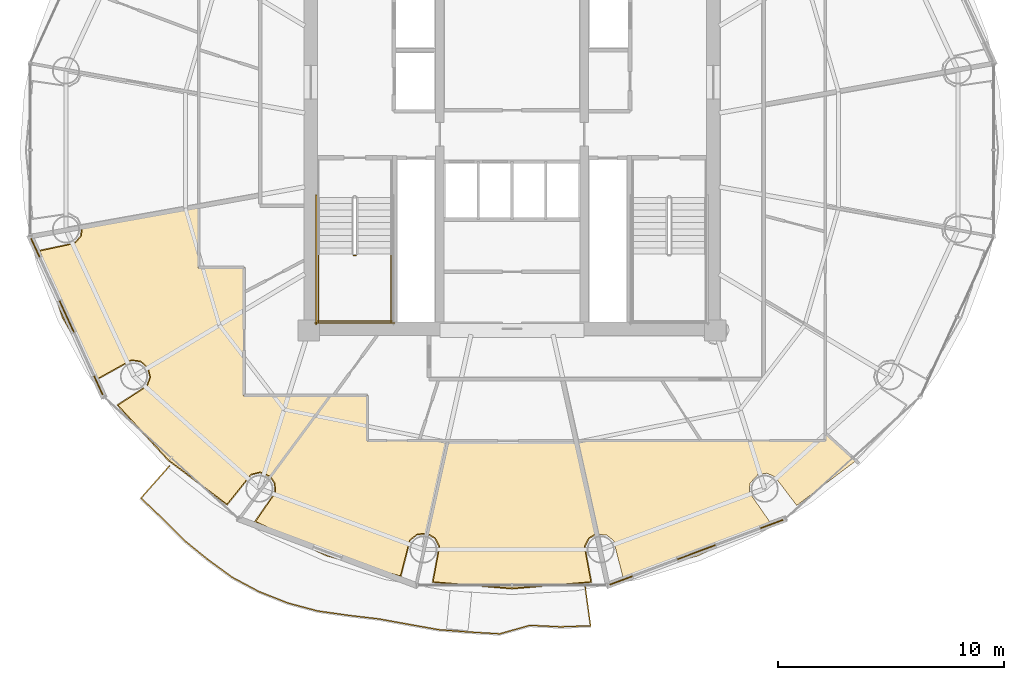
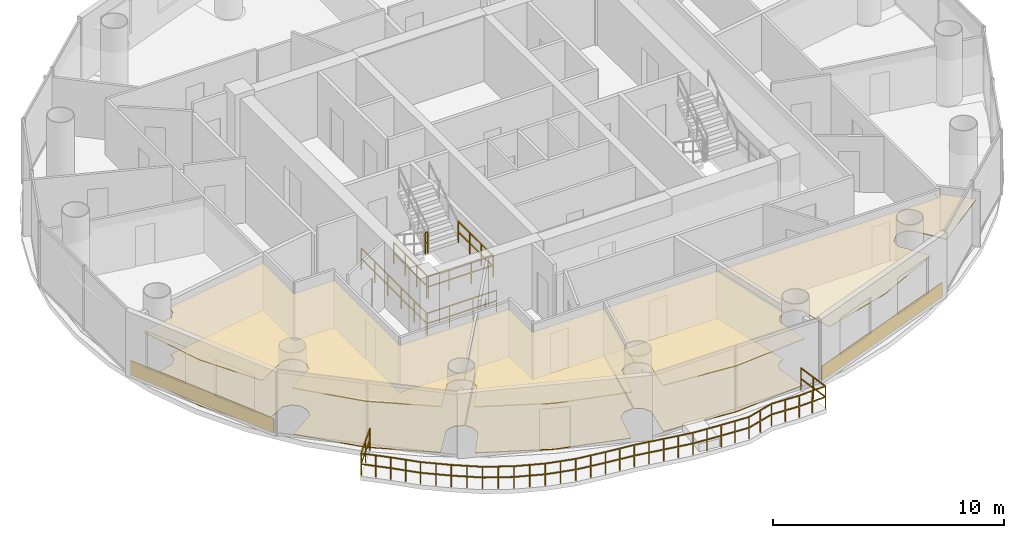
# One storey, part 24 of 27: 9 coverings, 7 railings.
"""IFC4 building model written with IfcOpenShell, lengths in metres."""

import ifcopenshell
import ifcopenshell.guid

model = None  # the IFC model being written
_history = None  # IfcOwnerHistory: only IFC2X3 demands one
_inside = {}  # id of a spatial element -> (the spatial element, [elements in it])
_under = {}  # id of a project, library or spatial element -> (it, [spatial elements below it])
_declared = {}  # id of a project -> (the project, [libraries it declares])
_typed = {}  # id of a type object -> (the type object, [elements of that type])
_made_of = {}  # id of a material, layer set ... -> (it, [elements and type objects made of it])


def new_model(schema):
    """Start an empty IFC model of exactly this schema.

    Asked for "IFC4X3", IfcOpenShell would pick the latest addendum, in which some entities
    have other attributes; the version numbers below select the first issue.
    IFC2X3 requires an IfcOwnerHistory on every rooted entity: one is made here for all.
    """
    global model, _history
    if schema == "IFC4X3":
        model = ifcopenshell.file(schema_version=(4, 3, 0, 0))
    else:
        model = ifcopenshell.file(schema=schema)
    _inside.clear()
    _under.clear()
    _declared.clear()
    _typed.clear()
    _made_of.clear()
    _history = None
    if model.schema == "IFC2X3":
        org = make("IfcOrganization", Name="unknown")
        user = make(
            "IfcPersonAndOrganization",
            ThePerson=make("IfcPerson", FamilyName="unknown"),
            TheOrganization=org,
        )
        app = make(
            "IfcApplication",
            ApplicationDeveloper=org,
            Version="unknown",
            ApplicationFullName="unknown",
            ApplicationIdentifier="unknown",
        )
        _history = make(
            "IfcOwnerHistory",
            OwningUser=user,
            OwningApplication=app,
            ChangeAction="ADDED",
            CreationDate=0,
        )
    return model


def make(cls, **values):
    """One entity of the class cls with the attributes given. An attribute that is None is left unset."""
    return model.create_entity(
        cls, **{name: value for name, value in values.items() if value is not None}
    )


def rooted(cls, **values):
    """An entity with a GlobalId (a new one), such as an element, a storey or a relation."""
    return make(cls, GlobalId=ifcopenshell.guid.new(), OwnerHistory=_history, **values)


def si_unit(unit_type, name, prefix=None):
    """IfcSIUnit, for example si_unit("LENGTHUNIT", "METRE", prefix="MILLI")."""
    return make("IfcSIUnit", UnitType=unit_type, Prefix=prefix, Name=name)


def assignment(units):
    """IfcUnitAssignment: the units of a project."""
    return None if units is None else make("IfcUnitAssignment", Units=units)


def point(xyz):
    """IfcCartesianPoint."""
    return None if xyz is None else make("IfcCartesianPoint", Coordinates=xyz)


def direction(xyz):
    """IfcDirection."""
    return None if xyz is None else make("IfcDirection", DirectionRatios=xyz)


def frame(location, z_axis=None, x_axis=None):
    """IfcAxis2Placement3D, a coordinate frame: its origin and axes. An axis left out is left unset."""
    return make(
        "IfcAxis2Placement3D",
        Location=point(location),
        Axis=direction(z_axis),
        RefDirection=direction(x_axis),
    )


def frame_2d(location, x_axis=None):
    """IfcAxis2Placement2D, a coordinate frame in the plane: its origin and x axis."""
    return make(
        "IfcAxis2Placement2D", Location=point(location), RefDirection=direction(x_axis)
    )


def origin():
    """The frame at (0, 0, 0) with its axes left unset."""
    return frame((0.0, 0.0, 0.0))


def origin_2d():
    """The frame at (0, 0) in the plane with its x axis left unset."""
    return frame_2d((0.0, 0.0))


def place(relative_to, where):
    """IfcLocalPlacement: puts the frame where relative to a parent placement (None: the world)."""
    return make(
        "IfcLocalPlacement", PlacementRelTo=relative_to, RelativePlacement=where
    )


def context(
    kind, dimensions, precision=None, world=None, true_north=None, identifier=None
):
    """IfcGeometricRepresentationContext, for example the 3D "Model" context."""
    return make(
        "IfcGeometricRepresentationContext",
        ContextIdentifier=identifier,
        ContextType=kind,
        CoordinateSpaceDimension=dimensions,
        Precision=precision,
        WorldCoordinateSystem=world,
        TrueNorth=true_north,
    )


def subcontext(parent, identifier, kind, view, scale=None):
    """IfcGeometricRepresentationSubContext, for example "Body" below "Model"."""
    return make(
        "IfcGeometricRepresentationSubContext",
        ContextIdentifier=identifier,
        ContextType=kind,
        ParentContext=parent,
        TargetScale=scale,
        TargetView=view,
    )


def project(units=None, contexts=None):
    """IfcProject with its units and contexts."""
    return rooted(
        "IfcProject",
        Name="project",
        RepresentationContexts=contexts,
        UnitsInContext=assignment(units),
    )


def spatial(cls, under=None, at=None, **own):
    """A site, building, storey or space (cls), placed at a placement, below another one or the project."""
    s = rooted(cls, ObjectPlacement=at, **own)
    if under is not None:
        _under.setdefault(under.id(), (under, []))[1].append(s)
    return s


def polyline(points):
    """IfcPolyline through the points."""
    return make("IfcPolyline", Points=[point(p) for p in points])


def profile(cls, at=None, kind="AREA", **sizes):
    """A parametric profile (cls). Its sizes go by their IFC names, for example OverallWidth=200.0."""
    return make(cls, ProfileType=kind, Position=at, **sizes)


def rectangle(**sizes):
    """IfcRectangleProfileDef."""
    return profile("IfcRectangleProfileDef", **sizes)


def outline(outer, holes=None, kind="AREA"):
    """IfcArbitraryClosedProfileDef: a profile drawn as a closed curve; with holes, ...WithVoids."""
    if holes is None:
        return make("IfcArbitraryClosedProfileDef", ProfileType=kind, OuterCurve=outer)
    return make(
        "IfcArbitraryProfileDefWithVoids",
        ProfileType=kind,
        OuterCurve=outer,
        InnerCurves=holes,
    )


def extrude(swept, where, along, depth):
    """IfcExtrudedAreaSolid: the profile swept, set in the frame where, extruded along a direction by depth."""
    return make(
        "IfcExtrudedAreaSolid",
        SweptArea=swept,
        Position=where,
        ExtrudedDirection=direction(along),
        Depth=depth,
    )


def shape(context_of_items, identifier, shape_type, items):
    """IfcShapeRepresentation: the items that make up one representation, for example the "Body"."""
    return make(
        "IfcShapeRepresentation",
        ContextOfItems=context_of_items,
        RepresentationIdentifier=identifier,
        RepresentationType=shape_type,
        Items=items,
    )


def source(mapping_origin, context_of_items, identifier, shape_type, items):
    """IfcRepresentationMap: a shape defined once, which mapped items show again and again."""
    return make(
        "IfcRepresentationMap",
        MappingOrigin=mapping_origin,
        MappedRepresentation=shape(context_of_items, identifier, shape_type, items),
    )


def transform(
    local_origin,
    x_axis=None,
    y_axis=None,
    z_axis=None,
    scale=None,
    scale2=None,
    scale3=None,
    uniform=True,
):
    """IfcCartesianTransformationOperator3D, or its non-uniform kind. x_axis, y_axis, z_axis: its Axis1, 2, 3."""
    if uniform:
        return make(
            "IfcCartesianTransformationOperator3D",
            Axis1=direction(x_axis),
            Axis2=direction(y_axis),
            LocalOrigin=point(local_origin),
            Scale=scale,
            Axis3=direction(z_axis),
        )
    return make(
        "IfcCartesianTransformationOperator3DnonUniform",
        Axis1=direction(x_axis),
        Axis2=direction(y_axis),
        LocalOrigin=point(local_origin),
        Scale=scale,
        Axis3=direction(z_axis),
        Scale2=scale2,
        Scale3=scale3,
    )


def mapped(mapping_source, mapping_target):
    """IfcMappedItem: shows the shape of a source again, moved by a transform."""
    return make(
        "IfcMappedItem", MappingSource=mapping_source, MappingTarget=mapping_target
    )


def material(Name=None, Category=None):
    """IfcMaterial."""
    return make("IfcMaterial", Name=Name, Category=Category)


def layer(
    of_material, thickness, ventilated=None, Name=None, Category=None, Priority=None
):
    """IfcMaterialLayer: one layer of a wall or slab, of a material (None: an air gap)."""
    return make(
        "IfcMaterialLayer",
        Material=of_material,
        LayerThickness=thickness,
        IsVentilated=ventilated,
        Name=Name,
        Category=Category,
        Priority=Priority,
    )


def layer_set(layers, Name=None):
    """IfcMaterialLayerSet."""
    return make("IfcMaterialLayerSet", MaterialLayers=layers, LayerSetName=Name)


def made_of(thing, what):
    """Note that an element or type object is made of a material, layer set ...; save() writes the relation."""
    if what is not None:
        _made_of.setdefault(what.id(), (what, []))[1].append(thing)
    return thing


def type_object(cls, material=None, **own):
    """A type object (cls), such as IfcWallType, which elements share."""
    return made_of(rooted(cls, **own), material)


def element(
    cls,
    number,
    at=None,
    inside=None,
    cuts=None,
    type_object=None,
    material=None,
    context=None,
    identifier="Body",
    shape_type=None,
    held_by="IfcProductDefinitionShape",
    body=None,
    shapes=None,
    **own,
):
    """One element of the class cls, such as IfcWall. Its Tag is "e" and its number.

    at: its placement. inside: the storey or other place that contains it. cuts: it is an
    opening in that element (IfcRelVoidsElement). A single representation is given by context,
    identifier, shape_type and body (its items); several are given by shapes. held_by: the class
    of the entity that holds the representations. save() writes the other relations.
    """
    e = rooted(cls, Tag="e%d" % number, ObjectPlacement=at, **own)
    if body is not None:
        shapes = [shape(context, identifier, shape_type, body)]
    if shapes is not None:
        e.Representation = make(held_by, Representations=shapes)
    if inside is not None:
        _inside.setdefault(inside.id(), (inside, []))[1].append(e)
    if cuts is not None:
        rooted(
            "IfcRelVoidsElement", RelatingBuildingElement=cuts, RelatedOpeningElement=e
        )
    if type_object is not None:
        _typed.setdefault(type_object.id(), (type_object, []))[1].append(e)
    return made_of(e, material)


def aggregate(whole, parts):
    """IfcRelAggregates: a whole, such as a stair, and the parts it consists of."""
    return rooted("IfcRelAggregates", RelatingObject=whole, RelatedObjects=parts)


def save(model, path):
    """Write the relations noted so far, then the file.

    IfcRelAggregates (storeys below a building ...), IfcRelContainedInSpatialStructure (elements
    in a storey), IfcRelDefinesByType, IfcRelAssociatesMaterial and IfcRelDeclares: one each for
    every whole, place, type object, material and project.
    """
    for whole, parts in _under.values():
        aggregate(whole, parts)
    for where, things in _inside.values():
        rooted(
            "IfcRelContainedInSpatialStructure",
            RelatedElements=things,
            RelatingStructure=where,
        )
    for kind, things in _typed.values():
        rooted("IfcRelDefinesByType", RelatedObjects=things, RelatingType=kind)
    for what, things in _made_of.values():
        rooted("IfcRelAssociatesMaterial", RelatedObjects=things, RelatingMaterial=what)
    for by, libraries in _declared.values():
        rooted("IfcRelDeclares", RelatingContext=by, RelatedDefinitions=libraries)
    model.write(path)


model = new_model("IFC4")

# Units and contexts
model_context = context("Model", 3, precision=1e-05, world=origin(), true_north=direction((-0.2419218956, 0.970295726276)))
body_context = subcontext(model_context, "Body", "Model", "MODEL_VIEW")
ifc_project = project(units=[si_unit("LENGTHUNIT", "METRE"), si_unit("AREAUNIT", "SQUARE_METRE"), si_unit("VOLUMEUNIT", "CUBIC_METRE"), si_unit("PLANEANGLEUNIT", "RADIAN"), si_unit("MASSUNIT", "GRAM", prefix="KILO")], contexts=[model_context])

# Site, building, storey
site_placement = place(None, origin())
site = spatial("IfcSite", under=ifc_project, at=site_placement, CompositionType="ELEMENT")
building_placement = place(site_placement, origin())
building = spatial("IfcBuilding", under=site, at=building_placement, Name="Cobrevalo Terracotta Tower", CompositionType="ELEMENT")
storey_placement = place(building_placement, frame((0.0, 0.0, 191.199951171875)))
storey = spatial("IfcBuildingStorey", under=building, at=storey_placement, Name="L50", CompositionType="ELEMENT", Elevation=191.199951171875)

# Railing
ifc_material_1 = material(Name="Laminated structural glass and stainless steel", Category="steel")
railing_type_1 = type_object("IfcRailingType", Name="Balcony lobe structural glass & terracotta-cap balustrade 1180 mm", PredefinedType="BALUSTRADE", material=ifc_material_1)
railing_1_placement = place(storey_placement, frame((22.81982421875, 12.797607421875, 0.0)))
element("IfcRailing", 1, at=railing_1_placement, inside=storey, type_object=railing_type_1, Name="L50 spiralling balcony lobe balustrade 2", PredefinedType="BALUSTRADE", context=body_context, shape_type="SweptSolid", body=[
    extrude(rectangle(XDim=0.048095703125, YDim=0.048095703125, at=origin_2d()), frame((0.0, 0.0, 1.15576171875), z_axis=(-0.663086681071, -0.748542619619, 0.0), x_axis=(0.748542619619, -0.663086681071, 0.0)), (0.0, 0.0, 1.0), 1.89990234375),
    extrude(rectangle(XDim=0.048095703125, YDim=0.048095703125, at=origin_2d()), frame((0.0, 0.0, 0.58984375), z_axis=(-0.663086681071, -0.748542619619, 0.0), x_axis=(0.748542619619, -0.663086681071, 0.0)), (0.0, 0.0, 1.0), 1.89990234375),
    extrude(rectangle(XDim=0.048095703125, YDim=0.048095703125, at=origin_2d()), frame((-1.259765625, -1.422119140625, 1.15576171875), z_axis=(0.725036451142, -0.688710493978, 0.0), x_axis=(0.688710493978, 0.725036451142, 0.0)), (0.0, 0.0, 1.0), 1.3173828125),
    extrude(rectangle(XDim=0.048095703125, YDim=0.048095703125, at=origin_2d()), frame((-1.259765625, -1.422119140625, 0.58984375), z_axis=(0.725036451142, -0.688710493978, 0.0), x_axis=(0.688710493978, 0.725036451142, 0.0)), (0.0, 0.0, 1.0), 1.3173828125),
    extrude(rectangle(XDim=0.048095703125, YDim=0.048095703125, at=origin_2d()), frame((-0.3046875, -2.329345703125, 1.15576171875), z_axis=(0.704268683659, -0.709933532957, 0.0), x_axis=(0.709933532957, 0.704268683659, 0.0)), (0.0, 0.0, 1.0), 1.3359375),
    extrude(rectangle(XDim=0.048095703125, YDim=0.048095703125, at=origin_2d()), frame((-0.3046875, -2.329345703125, 0.58984375), z_axis=(0.704268683659, -0.709933532957, 0.0), x_axis=(0.709933532957, 0.704268683659, 0.0)), (0.0, 0.0, 1.0), 1.3359375),
    extrude(rectangle(XDim=0.048095703125, YDim=0.048095703125, at=origin_2d()), frame((0.63623046875, -3.27783203125, 1.15576171875), z_axis=(0.775792773105, -0.630987775792, 0.0), x_axis=(0.630987775792, 0.775792773105, 0.0)), (0.0, 0.0, 1.0), 1.348876953125),
    extrude(rectangle(XDim=0.048095703125, YDim=0.048095703125, at=origin_2d()), frame((0.63623046875, -3.27783203125, 0.58984375), z_axis=(0.775792773105, -0.630987775792, 0.0), x_axis=(0.630987775792, 0.775792773105, 0.0)), (0.0, 0.0, 1.0), 1.348876953125),
    extrude(rectangle(XDim=0.048095703125, YDim=0.048095703125, at=origin_2d()), frame((1.6826171875, -4.12890625, 1.15576171875), z_axis=(0.807654467014, -0.58965605391, 0.0), x_axis=(0.58965605391, 0.807654467014, 0.0)), (0.0, 0.0, 1.0), 1.3583984375),
    extrude(rectangle(XDim=0.048095703125, YDim=0.048095703125, at=origin_2d()), frame((1.6826171875, -4.12890625, 0.58984375), z_axis=(0.807654467014, -0.58965605391, 0.0), x_axis=(0.58965605391, 0.807654467014, 0.0)), (0.0, 0.0, 1.0), 1.3583984375),
    extrude(rectangle(XDim=0.048095703125, YDim=0.048095703125, at=origin_2d()), frame((2.77978515625, -4.929931640625, 1.15576171875), z_axis=(0.8819355255, -0.471370055118, 0.0), x_axis=(0.471370055118, 0.8819355255, 0.0)), (0.0, 0.0, 1.0), 1.361083984375),
    extrude(rectangle(XDim=0.048095703125, YDim=0.048095703125, at=origin_2d()), frame((2.77978515625, -4.929931640625, 0.58984375), z_axis=(0.8819355255, -0.471370055118, 0.0), x_axis=(0.471370055118, 0.8819355255, 0.0)), (0.0, 0.0, 1.0), 1.361083984375),
    extrude(rectangle(XDim=0.048095703125, YDim=0.048095703125, at=origin_2d()), frame((3.980224609375, -5.571533203125, 1.15576171875), z_axis=(0.930373326628, -0.366613520071, 0.0), x_axis=(0.366613520071, 0.930373326628, 0.0)), (0.0, 0.0, 1.0), 1.3671875),
    extrude(rectangle(XDim=0.048095703125, YDim=0.048095703125, at=origin_2d()), frame((3.980224609375, -5.571533203125, 0.58984375), z_axis=(0.930373326628, -0.366613520071, 0.0), x_axis=(0.366613520071, 0.930373326628, 0.0)), (0.0, 0.0, 1.0), 1.3671875),
    extrude(rectangle(XDim=0.048095703125, YDim=0.048095703125, at=origin_2d()), frame((5.252197265625, -6.07275390625, 1.15576171875), z_axis=(0.966202361333, -0.257784788059, 0.0), x_axis=(0.257784788059, 0.966202361333, 0.0)), (0.0, 0.0, 1.0), 1.368408203125),
    extrude(rectangle(XDim=0.048095703125, YDim=0.048095703125, at=origin_2d()), frame((5.252197265625, -6.07275390625, 0.58984375), z_axis=(0.966202361333, -0.257784788059, 0.0), x_axis=(0.257784788059, 0.966202361333, 0.0)), (0.0, 0.0, 1.0), 1.368408203125),
    extrude(rectangle(XDim=0.048095703125, YDim=0.048095703125, at=origin_2d()), frame((6.574462890625, -6.425537109375, 1.15576171875), z_axis=(0.990044872641, -0.14075208758, 0.0), x_axis=(0.14075208758, 0.990044872641, 0.0)), (0.0, 0.0, 1.0), 1.37890625),
    extrude(rectangle(XDim=0.048095703125, YDim=0.048095703125, at=origin_2d()), frame((6.574462890625, -6.425537109375, 0.58984375), z_axis=(0.990044872641, -0.14075208758, 0.0), x_axis=(0.14075208758, 0.990044872641, 0.0)), (0.0, 0.0, 1.0), 1.37890625),
    extrude(rectangle(XDim=0.048095703125, YDim=0.048095703125, at=origin_2d()), frame((7.939697265625, -6.61962890625, 1.15576171875), z_axis=(0.993190979013, -0.116497550222, 0.0), x_axis=(0.116497550222, 0.993190979013, 0.0)), (0.0, 0.0, 1.0), 1.360107421875),
    extrude(rectangle(XDim=0.048095703125, YDim=0.048095703125, at=origin_2d()), frame((7.939697265625, -6.61962890625, 0.58984375), z_axis=(0.993190979013, -0.116497550222, 0.0), x_axis=(0.116497550222, 0.993190979013, 0.0)), (0.0, 0.0, 1.0), 1.360107421875),
    extrude(rectangle(XDim=0.048095703125, YDim=0.048095703125, at=origin_2d()), frame((9.29052734375, -6.778076171875, 1.15576171875), z_axis=(0.98392203497, -0.178598513711, 0.0), x_axis=(0.178598513711, 0.98392203497, 0.0)), (0.0, 0.0, 1.0), 1.347900390625),
    extrude(rectangle(XDim=0.048095703125, YDim=0.048095703125, at=origin_2d()), frame((9.29052734375, -6.778076171875, 0.58984375), z_axis=(0.98392203497, -0.178598513711, 0.0), x_axis=(0.178598513711, 0.98392203497, 0.0)), (0.0, 0.0, 1.0), 1.347900390625),
    extrude(rectangle(XDim=0.048095703125, YDim=0.048095703125, at=origin_2d()), frame((10.61669921875, -7.018798828125, 1.15576171875), z_axis=(0.984563895488, -0.175025528716, 0.0), x_axis=(0.175025528716, 0.984563895488, 0.0)), (0.0, 0.0, 1.0), 1.347412109375),
    extrude(rectangle(XDim=0.048095703125, YDim=0.048095703125, at=origin_2d()), frame((10.61669921875, -7.018798828125, 0.58984375), z_axis=(0.984563895488, -0.175025528716, 0.0), x_axis=(0.175025528716, 0.984563895488, 0.0)), (0.0, 0.0, 1.0), 1.347412109375),
    extrude(rectangle(XDim=0.048095703125, YDim=0.048095703125, at=origin_2d()), frame((11.943359375, -7.254638671875, 1.15576171875), z_axis=(0.997026756191, -0.077056131738, 0.0), x_axis=(0.077056131738, 0.997026756191, 0.0)), (0.0, 0.0, 1.0), 1.349609375),
    extrude(rectangle(XDim=0.048095703125, YDim=0.048095703125, at=origin_2d()), frame((11.943359375, -7.254638671875, 0.58984375), z_axis=(0.997026756191, -0.077056131738, 0.0), x_axis=(0.077056131738, 0.997026756191, 0.0)), (0.0, 0.0, 1.0), 1.349609375),
    extrude(rectangle(XDim=0.048095703125, YDim=0.048095703125, at=origin_2d()), frame((13.2890625, -7.358642578125, 1.15576171875), z_axis=(0.998305391515, -0.058192312829, 0.0), x_axis=(0.058192312829, 0.998305391515, 0.0)), (0.0, 0.0, 1.0), 1.350830078125),
    extrude(rectangle(XDim=0.048095703125, YDim=0.048095703125, at=origin_2d()), frame((13.2890625, -7.358642578125, 0.58984375), z_axis=(0.998305391515, -0.058192312829, 0.0), x_axis=(0.058192312829, 0.998305391515, 0.0)), (0.0, 0.0, 1.0), 1.350830078125),
    extrude(rectangle(XDim=0.048095703125, YDim=0.048095703125, at=origin_2d()), frame((14.6376953125, -7.437255859375, 1.15576171875), z_axis=(0.96245320691, 0.27144764598, 0.0), x_axis=(-0.27144764598, 0.96245320691, 0.0)), (0.0, 0.0, 1.0), 1.3896484375),
    extrude(rectangle(XDim=0.048095703125, YDim=0.048095703125, at=origin_2d()), frame((14.6376953125, -7.437255859375, 0.58984375), z_axis=(0.96245320691, 0.27144764598, 0.0), x_axis=(-0.27144764598, 0.96245320691, 0.0)), (0.0, 0.0, 1.0), 1.3896484375),
    extrude(rectangle(XDim=0.048095703125, YDim=0.048095703125, at=origin_2d()), frame((15.97509765625, -7.06005859375, 1.15576171875), z_axis=(0.998769047331, -0.049602319433, 0.0), x_axis=(0.049602319433, 0.998769047331, 0.0)), (0.0, 0.0, 1.0), 1.34375),
    extrude(rectangle(XDim=0.048095703125, YDim=0.048095703125, at=origin_2d()), frame((15.97509765625, -7.06005859375, 0.58984375), z_axis=(0.998769047331, -0.049602319433, 0.0), x_axis=(0.049602319433, 0.998769047331, 0.0)), (0.0, 0.0, 1.0), 1.34375),
    extrude(rectangle(XDim=0.048095703125, YDim=0.048095703125, at=origin_2d()), frame((17.317138671875, -7.126708984375, 1.15576171875), z_axis=(0.999434160509, 0.033635677587, 0.0), x_axis=(-0.033635677587, 0.999434160509, 0.0)), (0.0, 0.0, 1.0), 1.3427734375),
    extrude(rectangle(XDim=0.048095703125, YDim=0.048095703125, at=origin_2d()), frame((17.317138671875, -7.126708984375, 0.58984375), z_axis=(0.999434160509, 0.033635677587, 0.0), x_axis=(-0.033635677587, 0.999434160509, 0.0)), (0.0, 0.0, 1.0), 1.3427734375),
    extrude(rectangle(XDim=0.048095703125, YDim=0.048095703125, at=origin_2d()), frame((18.6591796875, -7.08154296875, 1.15576171875), z_axis=(-0.135635403979, 0.990758818879, 0.0), x_axis=(-0.990758818879, -0.135635403979, 0.0)), (0.0, 0.0, 1.0), 1.731689453125),
    extrude(rectangle(XDim=0.048095703125, YDim=0.048095703125, at=origin_2d()), frame((18.6591796875, -7.08154296875, 0.58984375), z_axis=(-0.135635403979, 0.990758818879, 0.0), x_axis=(-0.990758818879, -0.135635403979, 0.0)), (0.0, 0.0, 1.0), 1.731689453125),
    extrude(rectangle(XDim=0.0419921875, YDim=0.0419921875, at=origin_2d()), origin(), (0.0, 0.0, 1.0), 1.1318359375),
    extrude(rectangle(XDim=0.0419921875, YDim=0.0419921875, at=origin_2d()), frame((-0.6298828125, -0.7109375, 0.0)), (0.0, 0.0, 1.0), 1.1318359375),
    extrude(rectangle(XDim=0.0419921875, YDim=0.0419921875, at=origin_2d()), frame((-1.259765625, -1.422119140625, 0.0)), (0.0, 0.0, 1.0), 1.1318359375),
    extrude(rectangle(XDim=0.0419921875, YDim=0.0419921875, at=origin_2d()), frame((-0.7822265625, -1.875732421875, 0.0)), (0.0, 0.0, 1.0), 1.1318359375),
    extrude(rectangle(XDim=0.0419921875, YDim=0.0419921875, at=origin_2d()), frame((-0.3046875, -2.329345703125, 0.0)), (0.0, 0.0, 1.0), 1.1318359375),
    extrude(rectangle(XDim=0.0419921875, YDim=0.0419921875, at=origin_2d()), frame((0.165771484375, -2.8037109375, 0.0)), (0.0, 0.0, 1.0), 1.1318359375),
    extrude(rectangle(XDim=0.0419921875, YDim=0.0419921875, at=origin_2d()), frame((0.63623046875, -3.27783203125, 0.0)), (0.0, 0.0, 1.0), 1.1318359375),
    extrude(rectangle(XDim=0.0419921875, YDim=0.0419921875, at=origin_2d()), frame((1.159423828125, -3.703369140625, 0.0)), (0.0, 0.0, 1.0), 1.1318359375),
    extrude(rectangle(XDim=0.0419921875, YDim=0.0419921875, at=origin_2d()), frame((1.6826171875, -4.12890625, 0.0)), (0.0, 0.0, 1.0), 1.1318359375),
    extrude(rectangle(XDim=0.0419921875, YDim=0.0419921875, at=origin_2d()), frame((2.231201171875, -4.529296875, 0.0)), (0.0, 0.0, 1.0), 1.1318359375),
    extrude(rectangle(XDim=0.0419921875, YDim=0.0419921875, at=origin_2d()), frame((2.77978515625, -4.929931640625, 0.0)), (0.0, 0.0, 1.0), 1.1318359375),
    extrude(rectangle(XDim=0.0419921875, YDim=0.0419921875, at=origin_2d()), frame((3.3798828125, -5.250732421875, 0.0)), (0.0, 0.0, 1.0), 1.1318359375),
    extrude(rectangle(XDim=0.0419921875, YDim=0.0419921875, at=origin_2d()), frame((3.980224609375, -5.571533203125, 0.0)), (0.0, 0.0, 1.0), 1.1318359375),
    extrude(rectangle(XDim=0.0419921875, YDim=0.0419921875, at=origin_2d()), frame((4.6162109375, -5.822265625, 0.0)), (0.0, 0.0, 1.0), 1.1318359375),
    extrude(rectangle(XDim=0.0419921875, YDim=0.0419921875, at=origin_2d()), frame((5.252197265625, -6.07275390625, 0.0)), (0.0, 0.0, 1.0), 1.1318359375),
    extrude(rectangle(XDim=0.0419921875, YDim=0.0419921875, at=origin_2d()), frame((5.913330078125, -6.2490234375, 0.0)), (0.0, 0.0, 1.0), 1.1318359375),
    extrude(rectangle(XDim=0.0419921875, YDim=0.0419921875, at=origin_2d()), frame((6.574462890625, -6.425537109375, 0.0)), (0.0, 0.0, 1.0), 1.1318359375),
    extrude(rectangle(XDim=0.0419921875, YDim=0.0419921875, at=origin_2d()), frame((7.257080078125, -6.5224609375, 0.0)), (0.0, 0.0, 1.0), 1.1318359375),
    extrude(rectangle(XDim=0.0419921875, YDim=0.0419921875, at=origin_2d()), frame((7.939697265625, -6.61962890625, 0.0)), (0.0, 0.0, 1.0), 1.1318359375),
    extrude(rectangle(XDim=0.0419921875, YDim=0.0419921875, at=origin_2d()), frame((8.615234375, -6.69873046875, 0.0)), (0.0, 0.0, 1.0), 1.1318359375),
    extrude(rectangle(XDim=0.0419921875, YDim=0.0419921875, at=origin_2d()), frame((9.29052734375, -6.778076171875, 0.0)), (0.0, 0.0, 1.0), 1.1318359375),
    extrude(rectangle(XDim=0.0419921875, YDim=0.0419921875, at=origin_2d()), frame((9.95361328125, -6.8984375, 0.0)), (0.0, 0.0, 1.0), 1.1318359375),
    extrude(rectangle(XDim=0.0419921875, YDim=0.0419921875, at=origin_2d()), frame((10.61669921875, -7.018798828125, 0.0)), (0.0, 0.0, 1.0), 1.1318359375),
    extrude(rectangle(XDim=0.0419921875, YDim=0.0419921875, at=origin_2d()), frame((11.280029296875, -7.13671875, 0.0)), (0.0, 0.0, 1.0), 1.1318359375),
    extrude(rectangle(XDim=0.0419921875, YDim=0.0419921875, at=origin_2d()), frame((11.943359375, -7.254638671875, 0.0)), (0.0, 0.0, 1.0), 1.1318359375),
    extrude(rectangle(XDim=0.0419921875, YDim=0.0419921875, at=origin_2d()), frame((12.6162109375, -7.306640625, 0.0)), (0.0, 0.0, 1.0), 1.1318359375),
    extrude(rectangle(XDim=0.0419921875, YDim=0.0419921875, at=origin_2d()), frame((13.2890625, -7.358642578125, 0.0)), (0.0, 0.0, 1.0), 1.1318359375),
    extrude(rectangle(XDim=0.0419921875, YDim=0.0419921875, at=origin_2d()), frame((13.96337890625, -7.39794921875, 0.0)), (0.0, 0.0, 1.0), 1.1318359375),
    extrude(rectangle(XDim=0.0419921875, YDim=0.0419921875, at=origin_2d()), frame((14.6376953125, -7.437255859375, 0.0)), (0.0, 0.0, 1.0), 1.1318359375),
    extrude(rectangle(XDim=0.0419921875, YDim=0.0419921875, at=origin_2d()), frame((15.306396484375, -7.24853515625, 0.0)), (0.0, 0.0, 1.0), 1.1318359375),
    extrude(rectangle(XDim=0.0419921875, YDim=0.0419921875, at=origin_2d()), frame((15.97509765625, -7.06005859375, 0.0)), (0.0, 0.0, 1.0), 1.1318359375),
    extrude(rectangle(XDim=0.0419921875, YDim=0.0419921875, at=origin_2d()), frame((16.64599609375, -7.09326171875, 0.0)), (0.0, 0.0, 1.0), 1.1318359375),
    extrude(rectangle(XDim=0.0419921875, YDim=0.0419921875, at=origin_2d()), frame((17.317138671875, -7.126708984375, 0.0)), (0.0, 0.0, 1.0), 1.1318359375),
    extrude(rectangle(XDim=0.0419921875, YDim=0.0419921875, at=origin_2d()), frame((17.98828125, -7.10400390625, 0.0)), (0.0, 0.0, 1.0), 1.1318359375),
    extrude(rectangle(XDim=0.0419921875, YDim=0.0419921875, at=origin_2d()), frame((18.6591796875, -7.08154296875, 0.0)), (0.0, 0.0, 1.0), 1.1318359375),
    extrude(rectangle(XDim=0.0419921875, YDim=0.0419921875, at=origin_2d()), frame((18.541748046875, -6.2236328125, 0.0)), (0.0, 0.0, 1.0), 1.1318359375),
    extrude(rectangle(XDim=0.0419921875, YDim=0.0419921875, at=origin_2d()), frame((18.42431640625, -5.365966796875, 0.0)), (0.0, 0.0, 1.0), 1.1318359375),
])

# Coverings
ifc_material_2 = material(Name="Engineered Brazilian hardwood flooring", Category="wood")
ifc_layer_1 = layer(ifc_material_2, 0.028076171875)
ifc_layer_set_1 = layer_set([ifc_layer_1], Name="Engineered Brazilian hardwood flooring")
covering_type_1 = type_object("IfcCoveringType", Name="Engineered Hardwood Suite Flooring 28", PredefinedType="FLOORING", material=ifc_layer_set_1)
covering_1_placement = place(storey_placement, origin())
element("IfcCovering", 2, at=covering_1_placement, inside=storey, type_object=covering_type_1, Name="Flat L50C Living and Dining Room floor finish", PredefinedType="FLOORING", context=body_context, shape_type="SweptSolid", body=[
    extrude(outline(polyline([(22.782470703125, 13.068603515625), (20.546875, 15.4912109375), (21.840087890625, 16.330810546875), (21.985107421875, 16.735107421875), (21.880859375, 17.152099609375), (21.562744140625, 17.44091796875), (21.1376953125, 17.504150390625), (19.662109375, 16.6865234375), (18.117919921875, 19.368896484375), (17.09228515625, 22.322998046875), (18.635986328125, 22.655029296875), (18.9150390625, 22.981689453125), (18.9697265625, 23.35888671875), (24.094970703125, 24.2802734375), (24.094970703125, 21.570068359375), (26.10498046875, 21.570068359375), (26.10498046875, 15.905029296875), (29.919189453125, 15.905029296875), (27.2890625, 12.34765625), (26.843505859375, 12.531005859375), (26.426513671875, 12.427734375), (25.3720703125, 11.108154296875), (22.782470703125, 13.068603515625)])), origin(), (0.0, 0.0, 1.0), 0.030029296875),
])
covering_2_placement = place(storey_placement, origin())
element("IfcCovering", 3, at=covering_2_placement, inside=storey, type_object=covering_type_1, Name="Flat L50C Master Bedroom floor finish", PredefinedType="FLOORING", context=body_context, shape_type="SweptSolid", body=[
    extrude(outline(polyline([(29.763916015625, 8.858642578125), (26.6455078125, 10.34033203125), (27.522705078125, 11.610107421875), (27.502685546875, 12.039306640625), (27.318603515625, 12.320556640625), (29.968994140625, 15.905029296875), (31.570068359375, 15.905029296875), (31.570068359375, 13.89501953125), (35.138916015625, 13.89501953125), (34.240234375, 9.812255859375), (33.801025390625, 9.78662109375), (33.462890625, 9.521484375), (33.0517578125, 7.93017578125), (29.763916015625, 8.858642578125)])), origin(), (0.0, 0.0, 1.0), 0.030029296875),
])
covering_3_placement = place(storey_placement, origin())
element("IfcCovering", 4, at=covering_3_placement, inside=storey, type_object=covering_type_1, Name="Flat L50C Penthouse Family Lounge floor finish", PredefinedType="FLOORING", context=body_context, shape_type="SweptSolid", body=[
    extrude(outline(polyline([(34.509765625, 7.66845703125), (34.7978515625, 9.22509765625), (34.603759765625, 9.6083984375), (34.279052734375, 9.802978515625), (35.179931640625, 13.89501953125), (40.820068359375, 13.89501953125), (41.720947265625, 9.802978515625), (41.396240234375, 9.6083984375), (41.2021484375, 9.22509765625), (41.490234375, 7.66845703125), (38.0, 7.380126953125), (34.509765625, 7.66845703125)])), origin(), (0.0, 0.0, 1.0), 0.030029296875),
])
ifc_material_3 = material(Name="Acoustic perforated gypsum ceiling", Category="gypsum")
ifc_layer_2 = layer(ifc_material_3, 0.050048828125)
ifc_layer_set_2 = layer_set([ifc_layer_2], Name="Acoustic perforated gypsum ceiling")
covering_type_2 = type_object("IfcCoveringType", Name="Perforated Acoustic Gypsum Ceiling 50", PredefinedType="CEILING", material=ifc_layer_set_2)
covering_4_placement = place(storey_placement, frame((0.0, 0.0, 2.445068359375)))
element("IfcCovering", 5, at=covering_4_placement, inside=storey, type_object=covering_type_2, Name="Flat L50C Living and Dining Room acoustic ceiling", PredefinedType="CEILING", context=body_context, shape_type="SweptSolid", body=[
    extrude(outline(polyline([(22.752197265625, 13.03515625), (20.481201171875, 15.50439453125), (21.8037109375, 16.357666015625), (21.93994140625, 16.737548828125), (21.842041015625, 17.12890625), (21.54345703125, 17.39990234375), (21.144287109375, 17.45947265625), (19.650146484375, 16.626953125), (18.076904296875, 19.35009765625), (17.038330078125, 22.359130859375), (18.611572265625, 22.693359375), (18.873779296875, 23.0), (18.921630859375, 23.39599609375), (24.139892578125, 24.333984375), (24.139892578125, 21.614990234375), (26.14990234375, 21.614990234375), (26.14990234375, 15.949951171875), (30.008544921875, 15.949951171875), (27.29541015625, 12.28076171875), (26.84130859375, 12.48583984375), (26.44970703125, 12.388916015625), (25.3837890625, 11.048583984375), (22.752197265625, 13.03515625)])), origin(), (0.0, 0.0, 1.0), 0.050048828125),
])
covering_5_placement = place(storey_placement, frame((0.0, 0.0, 2.445068359375)))
element("IfcCovering", 6, at=covering_5_placement, inside=storey, type_object=covering_type_2, Name="Flat L50C Master Bedroom acoustic ceiling", PredefinedType="CEILING", context=body_context, shape_type="SweptSolid", body=[
    extrude(outline(polyline([(29.748291015625, 8.81640625), (26.579833984375, 10.327392578125), (27.478759765625, 11.621337890625), (27.460205078125, 12.024169921875), (27.25830078125, 12.314697265625), (29.9462890625, 15.949951171875), (31.614990234375, 15.949951171875), (31.614990234375, 13.93994140625), (35.19482421875, 13.93994140625), (34.275146484375, 9.76123046875), (33.8173828125, 9.74462890625), (33.499755859375, 9.49560546875), (33.08642578125, 7.878173828125), (29.748291015625, 8.81640625)])), origin(), (0.0, 0.0, 1.0), 0.050048828125),
])
covering_6_placement = place(storey_placement, frame((0.0, 0.0, 2.445068359375)))
element("IfcCovering", 7, at=covering_6_placement, inside=storey, type_object=covering_type_2, Name="Flat L50C Penthouse Family Lounge acoustic ceiling", PredefinedType="CEILING", context=body_context, shape_type="SweptSolid", body=[
    extrude(outline(polyline([(34.455810546875, 7.632568359375), (34.753173828125, 9.21728515625), (34.571044921875, 9.5771484375), (34.2265625, 9.77294921875), (35.143798828125, 13.93994140625), (40.856201171875, 13.93994140625), (41.7734375, 9.77294921875), (41.428955078125, 9.5771484375), (41.246826171875, 9.21728515625), (41.544189453125, 7.632568359375), (38.0, 7.3349609375), (34.455810546875, 7.632568359375)])), origin(), (0.0, 0.0, 1.0), 0.050048828125),
])
covering_7_placement = place(storey_placement, frame((0.0, 0.0, 2.445068359375)))
element("IfcCovering", 8, at=covering_7_placement, inside=storey, type_object=covering_type_2, Name="Flat L50D Living and Dining Room acoustic ceiling", PredefinedType="CEILING", context=body_context, shape_type="SweptSolid", body=[
    extrude(outline(polyline([(50.6162109375, 11.048583984375), (49.659912109375, 12.30810546875), (49.294921875, 12.4794921875), (48.89599609375, 12.41943359375), (48.539794921875, 12.024169921875), (48.521240234375, 11.621337890625), (49.420166015625, 10.327392578125), (46.251708984375, 8.81640625), (42.91357421875, 7.878173828125), (42.500244140625, 9.49560546875), (42.1826171875, 9.74462890625), (41.724853515625, 9.76123046875), (40.80517578125, 13.93994140625), (51.860107421875, 13.93994140625), (51.860107421875, 14.308837890625), (53.25927734375, 13.044189453125), (50.6162109375, 11.048583984375)])), origin(), (0.0, 0.0, 1.0), 0.050048828125),
])

# Railings
ifc_material_4 = material(Name="Painted galvanized steel", Category="steel")
railing_type_2 = type_object("IfcRailingType", Name="Stair Well Guard Balustrade 1150", PredefinedType="GUARDRAIL", material=ifc_material_4)
railing_2_placement = place(storey_placement, frame((30.97509765625, 22.1298828125, 1.85009765625)))
element("IfcRailing", 9, at=railing_2_placement, inside=storey, type_object=railing_type_2, Name="L50 ST-1 stair guard 2", PredefinedType="GUARDRAIL", context=body_context, shape_type="SweptSolid", body=[
    extrude(rectangle(XDim=0.048095703125, YDim=0.048095703125, at=origin_2d()), frame((0.0, 0.0, 1.1259765625), z_axis=(1.0, 0.0, 0.0), x_axis=(0.0, 1.0, 0.0)), (0.0, 0.0, 1.0), 0.119873046875),
    extrude(rectangle(XDim=0.048095703125, YDim=0.048095703125, at=origin_2d()), frame((0.0, 0.0, 0.574951171875), z_axis=(1.0, 0.0, 0.0), x_axis=(0.0, 1.0, 0.0)), (0.0, 0.0, 1.0), 0.119873046875),
    extrude(rectangle(XDim=0.0419921875, YDim=0.0419921875, at=origin_2d()), origin(), (0.0, 0.0, 1.0), 1.101806640625),
    extrude(rectangle(XDim=0.0419921875, YDim=0.0419921875, at=origin_2d()), frame((0.119873046875, 0.0, 0.0)), (0.0, 0.0, 1.0), 1.101806640625),
])
for number, where, name in (
    (10, (29.425048828125, 22.179931640625, 1.85009765625), "L50 ST-1 stair guard 3"),
    (11, (32.64501953125, 22.179931640625, 1.85009765625), "L50 ST-1 stair guard 4"),
):
    element("IfcRailing", number, at=place(storey_placement, frame(where)), inside=storey, type_object=railing_type_2, Name=name, PredefinedType="GUARDRAIL", context=body_context, shape_type="SweptSolid", body=[
        extrude(rectangle(XDim=0.048095703125, YDim=0.048095703125, at=origin_2d()), frame((0.0, 0.0, 1.1259765625), z_axis=(0.0, -1.0, 0.0), x_axis=(1.0, 0.0, 0.0)), (0.0, 0.0, 1.0), 3.0048828125),
        extrude(rectangle(XDim=0.048095703125, YDim=0.048095703125, at=origin_2d()), frame((0.0, 0.0, 0.574951171875), z_axis=(0.0, -1.0, 0.0), x_axis=(1.0, 0.0, 0.0)), (0.0, 0.0, 1.0), 3.0048828125),
        extrude(rectangle(XDim=0.0419921875, YDim=0.0419921875, at=origin_2d()), origin(), (0.0, 0.0, 1.0), 1.101806640625),
        extrude(rectangle(XDim=0.0419921875, YDim=0.0419921875, at=origin_2d()), frame((0.0, -1.001708984375, 0.0)), (0.0, 0.0, 1.0), 1.101806640625),
        extrude(rectangle(XDim=0.0419921875, YDim=0.0419921875, at=origin_2d()), frame((0.0, -2.003173828125, 0.0)), (0.0, 0.0, 1.0), 1.101806640625),
        extrude(rectangle(XDim=0.0419921875, YDim=0.0419921875, at=origin_2d()), frame((0.0, -3.0048828125, 0.0)), (0.0, 0.0, 1.0), 1.101806640625),
    ])
railing_3_placement = place(storey_placement, frame((29.375, 19.22509765625, 1.85009765625)))
element("IfcRailing", 12, at=railing_3_placement, inside=storey, type_object=railing_type_2, Name="L50 ST-1 stair guard 5", PredefinedType="GUARDRAIL", context=body_context, shape_type="SweptSolid", body=[
    extrude(rectangle(XDim=0.048095703125, YDim=0.048095703125, at=origin_2d()), frame((0.0, 0.0, 1.1259765625), z_axis=(1.0, 0.0, 0.0), x_axis=(0.0, 1.0, 0.0)), (0.0, 0.0, 1.0), 3.320068359375),
    extrude(rectangle(XDim=0.048095703125, YDim=0.048095703125, at=origin_2d()), frame((0.0, 0.0, 0.574951171875), z_axis=(1.0, 0.0, 0.0), x_axis=(0.0, 1.0, 0.0)), (0.0, 0.0, 1.0), 3.320068359375),
    extrude(rectangle(XDim=0.0419921875, YDim=0.0419921875, at=origin_2d()), origin(), (0.0, 0.0, 1.0), 1.101806640625),
    extrude(rectangle(XDim=0.0419921875, YDim=0.0419921875, at=origin_2d()), frame((1.106689453125, 0.0, 0.0)), (0.0, 0.0, 1.0), 1.101806640625),
    extrude(rectangle(XDim=0.0419921875, YDim=0.0419921875, at=origin_2d()), frame((2.21337890625, 0.0, 0.0)), (0.0, 0.0, 1.0), 1.101806640625),
    extrude(rectangle(XDim=0.0419921875, YDim=0.0419921875, at=origin_2d()), frame((3.320068359375, 0.0, 0.0)), (0.0, 0.0, 1.0), 1.101806640625),
])
railing_4_placement = place(storey_placement, frame((29.324951171875, 24.800048828125, 0.0)))
element("IfcRailing", 13, at=railing_4_placement, inside=storey, type_object=railing_type_2, Name="L50 ST-1 stair guard 10", PredefinedType="GUARDRAIL", context=body_context, shape_type="SweptSolid", body=[
    extrude(rectangle(XDim=0.048095703125, YDim=0.048095703125, at=origin_2d()), frame((0.0, 0.0, 1.1259765625), z_axis=(0.0, -1.0, 0.0), x_axis=(1.0, 0.0, 0.0)), (0.0, 0.0, 1.0), 5.72509765625),
    extrude(rectangle(XDim=0.048095703125, YDim=0.048095703125, at=origin_2d()), frame((0.0, 0.0, 0.574951171875), z_axis=(0.0, -1.0, 0.0), x_axis=(1.0, 0.0, 0.0)), (0.0, 0.0, 1.0), 5.72509765625),
    extrude(rectangle(XDim=0.0419921875, YDim=0.0419921875, at=origin_2d()), origin(), (0.0, 0.0, 1.0), 1.101806640625),
    extrude(rectangle(XDim=0.0419921875, YDim=0.0419921875, at=origin_2d()), frame((0.0, -1.14501953125, 0.0)), (0.0, 0.0, 1.0), 1.101806640625),
    extrude(rectangle(XDim=0.0419921875, YDim=0.0419921875, at=origin_2d()), frame((0.0, -2.2900390625, 0.0)), (0.0, 0.0, 1.0), 1.101806640625),
    extrude(rectangle(XDim=0.0419921875, YDim=0.0419921875, at=origin_2d()), frame((0.0, -3.43505859375, 0.0)), (0.0, 0.0, 1.0), 1.101806640625),
    extrude(rectangle(XDim=0.0419921875, YDim=0.0419921875, at=origin_2d()), frame((0.0, -4.580078125, 0.0)), (0.0, 0.0, 1.0), 1.101806640625),
    extrude(rectangle(XDim=0.0419921875, YDim=0.0419921875, at=origin_2d()), frame((0.0, -5.72509765625, 0.0)), (0.0, 0.0, 1.0), 1.101806640625),
])
railing_5_placement = place(storey_placement, frame((29.27490234375, 19.125, 0.0)))
element("IfcRailing", 14, at=railing_5_placement, inside=storey, type_object=railing_type_2, Name="L50 ST-1 stair guard 12", PredefinedType="GUARDRAIL", context=body_context, shape_type="SweptSolid", body=[
    extrude(rectangle(XDim=0.048095703125, YDim=0.048095703125, at=origin_2d()), frame((0.0, 0.0, 1.1259765625), z_axis=(1.0, 0.0, 0.0), x_axis=(0.0, 1.0, 0.0)), (0.0, 0.0, 1.0), 3.52001953125),
    extrude(rectangle(XDim=0.048095703125, YDim=0.048095703125, at=origin_2d()), frame((0.0, 0.0, 0.574951171875), z_axis=(1.0, 0.0, 0.0), x_axis=(0.0, 1.0, 0.0)), (0.0, 0.0, 1.0), 3.52001953125),
    extrude(rectangle(XDim=0.0419921875, YDim=0.0419921875, at=origin_2d()), origin(), (0.0, 0.0, 1.0), 1.101806640625),
    extrude(rectangle(XDim=0.0419921875, YDim=0.0419921875, at=origin_2d()), frame((1.17333984375, 0.0, 0.0)), (0.0, 0.0, 1.0), 1.101806640625),
    extrude(rectangle(XDim=0.0419921875, YDim=0.0419921875, at=origin_2d()), frame((2.3466796875, 0.0, 0.0)), (0.0, 0.0, 1.0), 1.101806640625),
    extrude(rectangle(XDim=0.0419921875, YDim=0.0419921875, at=origin_2d()), frame((3.52001953125, 0.0, 0.0)), (0.0, 0.0, 1.0), 1.101806640625),
])

# Coverings
ifc_material_5 = material(Name="Glazed terracotta facade cladding tile", Category="masonry")
ifc_layer_3 = layer(ifc_material_5, 0.044921875)
ifc_layer_set_3 = layer_set([ifc_layer_3], Name="Glazed terracotta facade cladding tile")
covering_type_3 = type_object("IfcCoveringType", Name="Architectural terracotta rainscreen spandrel cladding 45 mm", PredefinedType="CLADDING", material=ifc_layer_set_3)
shared_shape_1 = source(origin(), body_context, "Body", "SweptSolid", [
    extrude(rectangle(XDim=7.60009765625, YDim=0.044921875, at=origin_2d()), origin(), (0.0, 0.0, 1.0), 0.760009765625),
])
covering_8_placement = place(storey_placement, frame((18.273681640625, 19.417236328125, 0.0400390625), z_axis=(0.0, 0.0, 1.0), x_axis=(0.416731425355, -0.909029657999, 0.0)))
element("IfcCovering", 15, at=covering_8_placement, inside=storey, type_object=covering_type_3, Name="L50 terracotta spandrel cladding S09", PredefinedType="CLADDING", context=body_context, shape_type="MappedRepresentation", body=[
    mapped(shared_shape_1, transform((0.0, 0.0, 0.0), scale=1.0)),
])
shared_shape_2 = source(origin(), body_context, "Body", "SweptSolid", [
    extrude(rectangle(XDim=8.17919921875, YDim=0.044921875, at=origin_2d()), origin(), (0.0, 0.0, 1.0), 0.760009765625),
])
covering_9_placement = place(storey_placement, frame((46.1708984375, 8.9765625, 0.0400390625), z_axis=(0.0, 0.0, 1.0), x_axis=(0.936557839879, 0.350513070458, 0.0)))
element("IfcCovering", 16, at=covering_9_placement, inside=storey, type_object=covering_type_3, Name="L50 terracotta spandrel cladding S13", PredefinedType="CLADDING", context=body_context, shape_type="MappedRepresentation", body=[
    mapped(shared_shape_2, transform((0.0, 0.0, 0.0), scale=1.0)),
])

save(model, "model.ifc")
